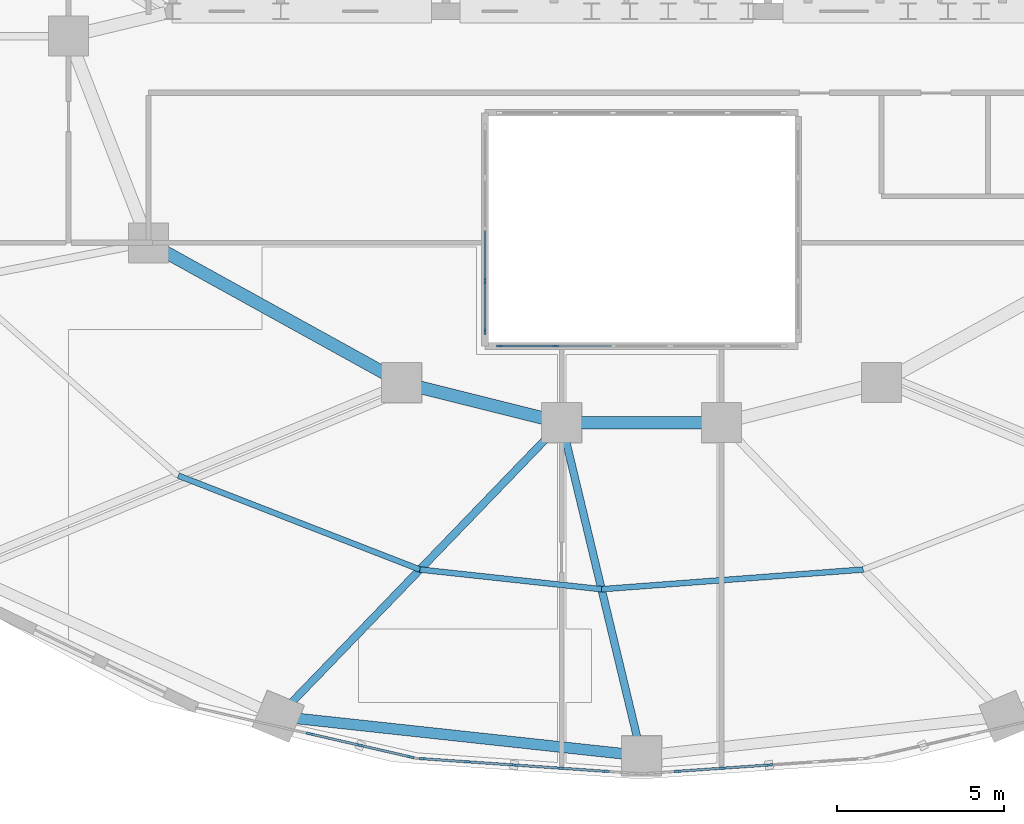
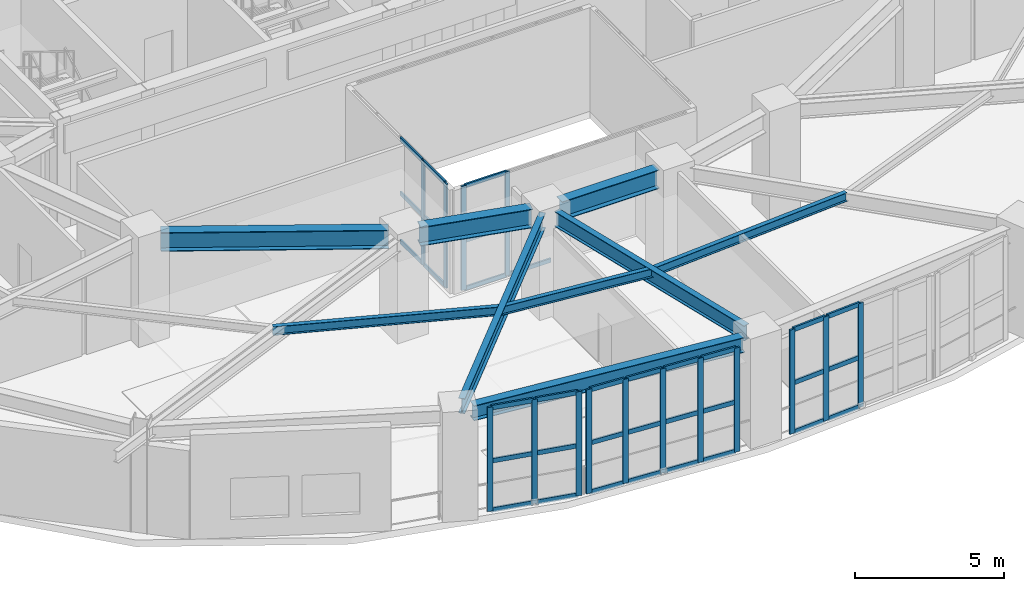
# One storey, part 2 of 15: 49 members, 9 beams, 5 elements without a shape of their own.
"""IFC4 building model written with IfcOpenShell, lengths in metres."""

from ifc_helpers import new_model, si_unit, direction, frame, origin, origin_2d, place, context, subcontext, project, spatial, rectangle, i_section, extrude, material, material_profile, profile_set, type_object, element, aggregate, save


model = new_model("IFC4")

# Units and contexts
model_context = context("Model", 3, precision=1e-05, world=origin(), true_north=direction((0.0, 1.0)))
body_context = subcontext(model_context, "Body", "Model", "MODEL_VIEW")
ifc_project = project(units=[si_unit("LENGTHUNIT", "METRE"), si_unit("AREAUNIT", "SQUARE_METRE"), si_unit("VOLUMEUNIT", "CUBIC_METRE"), si_unit("PLANEANGLEUNIT", "RADIAN"), si_unit("MASSUNIT", "GRAM", prefix="KILO")], contexts=[model_context])

# Site, building, storey
site_placement = place(None, origin())
site = spatial("IfcSite", under=ifc_project, at=site_placement, CompositionType="ELEMENT")
building_placement = place(site_placement, origin())
building = spatial("IfcBuilding", under=site, at=building_placement, Name="Haldorwick Loom Tower", CompositionType="ELEMENT")
storey_placement = place(building_placement, frame((0.0, 0.0, 105.949951171875)))
storey = spatial("IfcBuildingStorey", under=building, at=storey_placement, Name="L28", CompositionType="ELEMENT", Elevation=105.949951171875)

# Curtain wall, members
ifc_material_1 = material(Name="Thermally Broken Anodized Aluminium Curtain Wall Framing", Category="aluminium")
curtain_wall_type_1 = type_object("IfcCurtainWallType", Name="ARC-CW-03", PredefinedType="NOTDEFINED", material=ifc_material_1)
curtain_wall_1_placement = place(storey_placement, origin())
curtain_wall_1 = element("IfcCurtainWall", 1, at=curtain_wall_1_placement, inside=storey, type_object=curtain_wall_type_1, Name="L28 Atrium Glazed Screen S", PredefinedType="NOTDEFINED")
ifc_material_profile_1 = material_profile(ifc_material_1, rectangle(XDim=0.06591796875, YDim=0.18505859375, at=origin_2d()), Name="ALU_MUL_66X185", Category="aluminium")
ifc_profile_set_1 = profile_set([ifc_material_profile_1], Name="Thermally Broken Anodized Aluminium Curtain Wall Framing")
member_type_1 = type_object("IfcMemberType", Name="ARC-CWM-03", PredefinedType="MULLION", material=ifc_profile_set_1)
member_1_placement = place(storey_placement, frame((33.419921875, 16.699951171875, 0.0), z_axis=(0.0, 0.0, 1.0), x_axis=(0.0, -1.0, 0.0)))
member_1 = element("IfcMember", 2, at=member_1_placement, type_object=member_type_1, Name="CW-03 mullion 5", PredefinedType="MULLION", context=body_context, shape_type="SweptSolid", body=[
    extrude(rectangle(XDim=0.06591796875, YDim=0.18505859375, at=origin_2d()), origin(), (0.0, 0.0, 1.0), 4.260009765625),
])
member_2_placement = place(storey_placement, frame((31.73291015625, 16.699951171875, 0.0), z_axis=(0.0, 0.0, 1.0), x_axis=(0.0, -1.0, 0.0)))
member_2 = element("IfcMember", 3, at=member_2_placement, type_object=member_type_1, Name="CW-03 mullion 6", PredefinedType="MULLION", context=body_context, shape_type="SweptSolid", body=[
    extrude(rectangle(XDim=0.06591796875, YDim=0.18505859375, at=origin_2d()), origin(), (0.0, 0.0, 1.0), 4.260009765625),
])

curtain_wall_2_placement = place(storey_placement, origin())
curtain_wall_2 = element("IfcCurtainWall", 4, at=curtain_wall_2_placement, inside=storey, type_object=curtain_wall_type_1, Name="L28 Atrium Glazed Screen W", PredefinedType="NOTDEFINED")
member_3_placement = place(storey_placement, frame((31.300048828125, 17.133056640625, 0.0), z_axis=(0.0, 0.0, 1.0), x_axis=(-1.0, 0.0, 0.0)))
member_3 = element("IfcMember", 5, at=member_3_placement, type_object=member_type_1, Name="CW-03 mullion 1", PredefinedType="MULLION", context=body_context, shape_type="SweptSolid", body=[
    extrude(rectangle(XDim=0.06591796875, YDim=0.18505859375, at=origin_2d()), origin(), (0.0, 0.0, 1.0), 4.260009765625),
])
member_4_placement = place(storey_placement, frame((31.300048828125, 18.64990234375, 0.0), z_axis=(0.0, 0.0, 1.0), x_axis=(-1.0, 0.0, 0.0)))
member_4 = element("IfcMember", 6, at=member_4_placement, type_object=member_type_1, Name="CW-03 mullion 2", PredefinedType="MULLION", context=body_context, shape_type="SweptSolid", body=[
    extrude(rectangle(XDim=0.06591796875, YDim=0.18505859375, at=origin_2d()), origin(), (0.0, 0.0, 1.0), 4.260009765625),
])

curtain_wall_type_2 = type_object("IfcCurtainWallType", Name="ARC-CW-04", PredefinedType="NOTDEFINED", material=ifc_material_1)
curtain_wall_3_placement = place(storey_placement, origin())
curtain_wall_3 = element("IfcCurtainWall", 7, at=curtain_wall_3_placement, inside=storey, type_object=curtain_wall_type_2, Name="L28 Facade Curtain Wall CW-04 Bay 17", PredefinedType="NOTDEFINED")
ifc_material_profile_2 = material_profile(ifc_material_1, rectangle(XDim=0.072021484375, YDim=0.205078125, at=origin_2d()), Name="ALU_MUL_72X205", Category="aluminium")
ifc_profile_set_2 = profile_set([ifc_material_profile_2], Name="Thermally Broken Anodized Aluminium Curtain Wall Framing")
member_type_2 = type_object("IfcMemberType", Name="ARC-CWM-04", PredefinedType="MULLION", material=ifc_profile_set_2)
member_5_placement = place(storey_placement, frame((26.036865234375, 5.062255859375, 0.0), z_axis=(0.0, 0.0, 1.0), x_axis=(0.22398132353, 0.974593436624, 0.0)))
member_5 = element("IfcMember", 8, at=member_5_placement, type_object=member_type_2, Name="CW-04 mullion 1", PredefinedType="MULLION", context=body_context, shape_type="SweptSolid", body=[
    extrude(rectangle(XDim=0.072021484375, YDim=0.205078125, at=origin_2d()), origin(), (0.0, 0.0, 1.0), 4.260009765625),
])
member_6_placement = place(storey_placement, frame((27.55419921875, 4.713623046875, 0.0), z_axis=(0.0, 0.0, 1.0), x_axis=(0.22398132353, 0.974593436624, 0.0)))
member_6 = element("IfcMember", 9, at=member_6_placement, type_object=member_type_2, Name="CW-04 mullion 2", PredefinedType="MULLION", context=body_context, shape_type="SweptSolid", body=[
    extrude(rectangle(XDim=0.072021484375, YDim=0.205078125, at=origin_2d()), origin(), (0.0, 0.0, 1.0), 4.260009765625),
])
member_7_placement = place(storey_placement, frame((29.071533203125, 4.364990234375, 0.0), z_axis=(0.0, 0.0, 1.0), x_axis=(0.22398132353, 0.974593436624, 0.0)))
member_7 = element("IfcMember", 10, at=member_7_placement, type_object=member_type_2, Name="CW-04 mullion 3", PredefinedType="MULLION", context=body_context, shape_type="SweptSolid", body=[
    extrude(rectangle(XDim=0.072021484375, YDim=0.205078125, at=origin_2d()), origin(), (0.0, 0.0, 1.0), 4.260009765625),
])

curtain_wall_4_placement = place(storey_placement, origin())
curtain_wall_4 = element("IfcCurtainWall", 11, at=curtain_wall_4_placement, inside=storey, type_object=curtain_wall_type_2, Name="L28 Facade Curtain Wall CW-04 Bay 18", PredefinedType="NOTDEFINED")
member_8_placement = place(storey_placement, frame((29.41845703125, 4.3134765625, 0.0), z_axis=(0.0, 0.0, 1.0), x_axis=(0.068496055152, 0.997651387223, 0.0)))
member_8 = element("IfcMember", 12, at=member_8_placement, type_object=member_type_2, Name="CW-04 mullion 1", PredefinedType="MULLION", context=body_context, shape_type="SweptSolid", body=[
    extrude(rectangle(XDim=0.072021484375, YDim=0.205078125, at=origin_2d()), origin(), (0.0, 0.0, 1.0), 4.260009765625),
])
member_9_placement = place(storey_placement, frame((30.7783203125, 4.219970703125, 0.0), z_axis=(0.0, 0.0, 1.0), x_axis=(0.068496055152, 0.997651387223, 0.0)))
member_9 = element("IfcMember", 13, at=member_9_placement, type_object=member_type_2, Name="CW-04 mullion 2", PredefinedType="MULLION", context=body_context, shape_type="SweptSolid", body=[
    extrude(rectangle(XDim=0.072021484375, YDim=0.205078125, at=origin_2d()), origin(), (0.0, 0.0, 1.0), 4.260009765625),
])
member_10_placement = place(storey_placement, frame((32.174072265625, 4.124267578125, 0.0), z_axis=(0.0, 0.0, 1.0), x_axis=(0.068496055152, 0.997651387223, 0.0)))
member_10 = element("IfcMember", 14, at=member_10_placement, type_object=member_type_2, Name="CW-04 mullion 3", PredefinedType="MULLION", context=body_context, shape_type="SweptSolid", body=[
    extrude(rectangle(XDim=0.072021484375, YDim=0.205078125, at=origin_2d()), origin(), (0.0, 0.0, 1.0), 4.260009765625),
])
member_11_placement = place(storey_placement, frame((33.569580078125, 4.0283203125, 0.0), z_axis=(0.0, 0.0, 1.0), x_axis=(0.068496055152, 0.997651387223, 0.0)))
member_11 = element("IfcMember", 15, at=member_11_placement, type_object=member_type_2, Name="CW-04 mullion 4", PredefinedType="MULLION", context=body_context, shape_type="SweptSolid", body=[
    extrude(rectangle(XDim=0.072021484375, YDim=0.205078125, at=origin_2d()), origin(), (0.0, 0.0, 1.0), 4.260009765625),
])
member_12_placement = place(storey_placement, frame((34.929443359375, 3.93505859375, 0.0), z_axis=(0.0, 0.0, 1.0), x_axis=(0.068496055152, 0.997651387223, 0.0)))
member_12 = element("IfcMember", 16, at=member_12_placement, type_object=member_type_2, Name="CW-04 mullion 5", PredefinedType="MULLION", context=body_context, shape_type="SweptSolid", body=[
    extrude(rectangle(XDim=0.072021484375, YDim=0.205078125, at=origin_2d()), origin(), (0.0, 0.0, 1.0), 4.260009765625),
])

curtain_wall_5_placement = place(storey_placement, origin())
curtain_wall_5 = element("IfcCurtainWall", 17, at=curtain_wall_5_placement, inside=storey, type_object=curtain_wall_type_2, Name="L28 Facade Curtain Wall CW-04 Bay 19", PredefinedType="NOTDEFINED")
member_13_placement = place(storey_placement, frame((37.070556640625, 3.93505859375, 0.0), z_axis=(0.0, 0.0, 1.0), x_axis=(-0.068496055152, 0.997651387223, 0.0)))
member_13 = element("IfcMember", 18, at=member_13_placement, type_object=member_type_2, Name="CW-04 mullion 1", PredefinedType="MULLION", context=body_context, shape_type="SweptSolid", body=[
    extrude(rectangle(XDim=0.072021484375, YDim=0.205078125, at=origin_2d()), origin(), (0.0, 0.0, 1.0), 4.260009765625),
])
member_14_placement = place(storey_placement, frame((38.430419921875, 4.0283203125, 0.0), z_axis=(0.0, 0.0, 1.0), x_axis=(-0.068496055152, 0.997651387223, 0.0)))
member_14 = element("IfcMember", 19, at=member_14_placement, type_object=member_type_2, Name="CW-04 mullion 2", PredefinedType="MULLION", context=body_context, shape_type="SweptSolid", body=[
    extrude(rectangle(XDim=0.072021484375, YDim=0.205078125, at=origin_2d()), origin(), (0.0, 0.0, 1.0), 4.260009765625),
])
member_15_placement = place(storey_placement, frame((39.825927734375, 4.124267578125, 0.0), z_axis=(0.0, 0.0, 1.0), x_axis=(-0.068496055152, 0.997651387223, 0.0)))
member_15 = element("IfcMember", 20, at=member_15_placement, type_object=member_type_2, Name="CW-04 mullion 3", PredefinedType="MULLION", context=body_context, shape_type="SweptSolid", body=[
    extrude(rectangle(XDim=0.072021484375, YDim=0.205078125, at=origin_2d()), origin(), (0.0, 0.0, 1.0), 4.260009765625),
])

# Member
ifc_material_profile_3 = material_profile(ifc_material_1, rectangle(XDim=0.06591796875, YDim=0.1650390625, at=origin_2d()), Name="ALU_TRN_66X165", Category="aluminium")
ifc_profile_set_3 = profile_set([ifc_material_profile_3], Name="Thermally Broken Anodized Aluminium Curtain Wall Framing")
member_type_3 = type_object("IfcMemberType", Name="ARC-CWT-03", PredefinedType="USERDEFINED", material=ifc_profile_set_3)
member_16_placement = place(storey_placement, frame((35.10693359375, 16.699951171875, 0.032958984375), z_axis=(-1.0, 0.0, 0.0), x_axis=(0.0, -1.0, 0.0)))
member_16 = element("IfcMember", 21, at=member_16_placement, type_object=member_type_3, Name="CW-03 transom 4.1", ObjectType="TRANSOM", PredefinedType="USERDEFINED", context=body_context, shape_type="SweptSolid", body=[
    extrude(rectangle(XDim=0.06591796875, YDim=0.1650390625, at=origin_2d()), origin(), (0.0, 0.0, 1.0), 1.654052734375),
])

member_17_placement = place(storey_placement, frame((33.386962890625, 16.699951171875, 0.032958984375), z_axis=(-1.0, 0.0, 0.0), x_axis=(0.0, -1.0, 0.0)))
member_17 = element("IfcMember", 22, at=member_17_placement, type_object=member_type_3, Name="CW-03 transom 5.1", ObjectType="TRANSOM", PredefinedType="USERDEFINED", context=body_context, shape_type="SweptSolid", body=[
    extrude(rectangle(XDim=0.06591796875, YDim=0.1650390625, at=origin_2d()), origin(), (0.0, 0.0, 1.0), 1.620849609375),
])

member_18_placement = place(storey_placement, frame((33.386962890625, 16.699951171875, 2.0), z_axis=(-1.0, 0.0, 0.0), x_axis=(0.0, -1.0, 0.0)))
member_18 = element("IfcMember", 23, at=member_18_placement, type_object=member_type_3, Name="CW-03 transom 5.2", ObjectType="TRANSOM", PredefinedType="USERDEFINED", context=body_context, shape_type="SweptSolid", body=[
    extrude(rectangle(XDim=0.06591796875, YDim=0.1650390625, at=origin_2d()), origin(), (0.0, 0.0, 1.0), 1.620849609375),
])

member_19_placement = place(storey_placement, frame((33.386962890625, 16.699951171875, 4.22705078125), z_axis=(-1.0, 0.0, 0.0), x_axis=(0.0, -1.0, 0.0)))
member_19 = element("IfcMember", 24, at=member_19_placement, type_object=member_type_3, Name="CW-03 transom 5.3", ObjectType="TRANSOM", PredefinedType="USERDEFINED", context=body_context, shape_type="SweptSolid", body=[
    extrude(rectangle(XDim=0.06591796875, YDim=0.1650390625, at=origin_2d()), origin(), (0.0, 0.0, 1.0), 1.620849609375),
])

aggregate(curtain_wall_1, [member_1, member_2, member_16, member_17, member_18, member_19])

member_20_placement = place(storey_placement, frame((31.300048828125, 17.166015625, 0.032958984375), z_axis=(0.0, 1.0, 0.0), x_axis=(-1.0, 0.0, 0.0)))
member_20 = element("IfcMember", 25, at=member_20_placement, type_object=member_type_3, Name="CW-03 transom 1.1", ObjectType="TRANSOM", PredefinedType="USERDEFINED", context=body_context, shape_type="SweptSolid", body=[
    extrude(rectangle(XDim=0.06591796875, YDim=0.1650390625, at=origin_2d()), origin(), (0.0, 0.0, 1.0), 1.450927734375),
])

member_21_placement = place(storey_placement, frame((31.300048828125, 17.166015625, 2.0), z_axis=(0.0, 1.0, 0.0), x_axis=(-1.0, 0.0, 0.0)))
member_21 = element("IfcMember", 26, at=member_21_placement, type_object=member_type_3, Name="CW-03 transom 1.2", ObjectType="TRANSOM", PredefinedType="USERDEFINED", context=body_context, shape_type="SweptSolid", body=[
    extrude(rectangle(XDim=0.06591796875, YDim=0.1650390625, at=origin_2d()), origin(), (0.0, 0.0, 1.0), 1.450927734375),
])

member_22_placement = place(storey_placement, frame((31.300048828125, 17.166015625, 4.22705078125), z_axis=(0.0, 1.0, 0.0), x_axis=(-1.0, 0.0, 0.0)))
member_22 = element("IfcMember", 27, at=member_22_placement, type_object=member_type_3, Name="CW-03 transom 1.3", ObjectType="TRANSOM", PredefinedType="USERDEFINED", context=body_context, shape_type="SweptSolid", body=[
    extrude(rectangle(XDim=0.06591796875, YDim=0.1650390625, at=origin_2d()), origin(), (0.0, 0.0, 1.0), 1.450927734375),
])

member_23_placement = place(storey_placement, frame((31.300048828125, 18.68310546875, 0.032958984375), z_axis=(0.0, 1.0, 0.0), x_axis=(-1.0, 0.0, 0.0)))
member_23 = element("IfcMember", 28, at=member_23_placement, type_object=member_type_3, Name="CW-03 transom 2.1", ObjectType="TRANSOM", PredefinedType="USERDEFINED", context=body_context, shape_type="SweptSolid", body=[
    extrude(rectangle(XDim=0.06591796875, YDim=0.1650390625, at=origin_2d()), origin(), (0.0, 0.0, 1.0), 1.48388671875),
])

member_24_placement = place(storey_placement, frame((31.300048828125, 18.68310546875, 2.0), z_axis=(0.0, 1.0, 0.0), x_axis=(-1.0, 0.0, 0.0)))
member_24 = element("IfcMember", 29, at=member_24_placement, type_object=member_type_3, Name="CW-03 transom 2.2", ObjectType="TRANSOM", PredefinedType="USERDEFINED", context=body_context, shape_type="SweptSolid", body=[
    extrude(rectangle(XDim=0.06591796875, YDim=0.1650390625, at=origin_2d()), origin(), (0.0, 0.0, 1.0), 1.48388671875),
])

member_25_placement = place(storey_placement, frame((31.300048828125, 18.68310546875, 4.22705078125), z_axis=(0.0, 1.0, 0.0), x_axis=(-1.0, 0.0, 0.0)))
member_25 = element("IfcMember", 30, at=member_25_placement, type_object=member_type_3, Name="CW-03 transom 2.3", ObjectType="TRANSOM", PredefinedType="USERDEFINED", context=body_context, shape_type="SweptSolid", body=[
    extrude(rectangle(XDim=0.06591796875, YDim=0.1650390625, at=origin_2d()), origin(), (0.0, 0.0, 1.0), 1.48388671875),
])

aggregate(curtain_wall_2, [member_3, member_4, member_20, member_21, member_22, member_23, member_24, member_25])

ifc_material_profile_4 = material_profile(ifc_material_1, rectangle(XDim=0.072021484375, YDim=0.18505859375, at=origin_2d()), Name="ALU_TRN_72X185", Category="aluminium")
ifc_profile_set_4 = profile_set([ifc_material_profile_4], Name="Thermally Broken Anodized Aluminium Curtain Wall Framing")
member_type_4 = type_object("IfcMemberType", Name="ARC-CWT-04", PredefinedType="USERDEFINED", material=ifc_profile_set_4)
member_26_placement = place(storey_placement, frame((26.072021484375, 5.05419921875, 0.0361328125), z_axis=(0.974598631019, -0.223958720339, 0.0), x_axis=(0.223958720339, 0.974598631019, 0.0)))
member_26 = element("IfcMember", 31, at=member_26_placement, type_object=member_type_4, Name="CW-04 transom 1.1", ObjectType="TRANSOM", PredefinedType="USERDEFINED", context=body_context, shape_type="SweptSolid", body=[
    extrude(rectangle(XDim=0.072021484375, YDim=0.18505859375, at=origin_2d()), origin(), (0.0, 0.0, 1.0), 1.484619140625),
])

member_27_placement = place(storey_placement, frame((26.072021484375, 5.05419921875, 2.050048828125), z_axis=(0.974598631019, -0.223958720339, 0.0), x_axis=(0.223958720339, 0.974598631019, 0.0)))
member_27 = element("IfcMember", 32, at=member_27_placement, type_object=member_type_4, Name="CW-04 transom 1.2", ObjectType="TRANSOM", PredefinedType="USERDEFINED", context=body_context, shape_type="SweptSolid", body=[
    extrude(rectangle(XDim=0.072021484375, YDim=0.18505859375, at=origin_2d()), origin(), (0.0, 0.0, 1.0), 1.484619140625),
])

member_28_placement = place(storey_placement, frame((26.072021484375, 5.05419921875, 4.22412109375), z_axis=(0.974598631019, -0.223958720339, 0.0), x_axis=(0.223958720339, 0.974598631019, 0.0)))
member_28 = element("IfcMember", 33, at=member_28_placement, type_object=member_type_4, Name="CW-04 transom 1.3", ObjectType="TRANSOM", PredefinedType="USERDEFINED", context=body_context, shape_type="SweptSolid", body=[
    extrude(rectangle(XDim=0.072021484375, YDim=0.18505859375, at=origin_2d()), origin(), (0.0, 0.0, 1.0), 1.484619140625),
])

member_29_placement = place(storey_placement, frame((27.58935546875, 4.70556640625, 0.0361328125), z_axis=(0.974598631019, -0.223958720339, 0.0), x_axis=(0.223958720339, 0.974598631019, 0.0)))
member_29 = element("IfcMember", 34, at=member_29_placement, type_object=member_type_4, Name="CW-04 transom 2.1", ObjectType="TRANSOM", PredefinedType="USERDEFINED", context=body_context, shape_type="SweptSolid", body=[
    extrude(rectangle(XDim=0.072021484375, YDim=0.18505859375, at=origin_2d()), origin(), (0.0, 0.0, 1.0), 1.484619140625),
])

member_30_placement = place(storey_placement, frame((27.58935546875, 4.70556640625, 2.050048828125), z_axis=(0.974598631019, -0.223958720339, 0.0), x_axis=(0.223958720339, 0.974598631019, 0.0)))
member_30 = element("IfcMember", 35, at=member_30_placement, type_object=member_type_4, Name="CW-04 transom 2.2", ObjectType="TRANSOM", PredefinedType="USERDEFINED", context=body_context, shape_type="SweptSolid", body=[
    extrude(rectangle(XDim=0.072021484375, YDim=0.18505859375, at=origin_2d()), origin(), (0.0, 0.0, 1.0), 1.484619140625),
])

member_31_placement = place(storey_placement, frame((27.58935546875, 4.70556640625, 4.22412109375), z_axis=(0.974598631019, -0.223958720339, 0.0), x_axis=(0.223958720339, 0.974598631019, 0.0)))
member_31 = element("IfcMember", 36, at=member_31_placement, type_object=member_type_4, Name="CW-04 transom 2.3", ObjectType="TRANSOM", PredefinedType="USERDEFINED", context=body_context, shape_type="SweptSolid", body=[
    extrude(rectangle(XDim=0.072021484375, YDim=0.18505859375, at=origin_2d()), origin(), (0.0, 0.0, 1.0), 1.484619140625),
])

aggregate(curtain_wall_3, [member_5, member_6, member_7, member_26, member_27, member_28, member_29, member_30, member_31])

member_32_placement = place(storey_placement, frame((29.454345703125, 4.31103515625, 0.0361328125), z_axis=(0.997654434968, -0.068451650011, 0.0), x_axis=(0.068451650011, 0.997654434968, 0.0)))
member_32 = element("IfcMember", 37, at=member_32_placement, type_object=member_type_4, Name="CW-04 transom 1.1", ObjectType="TRANSOM", PredefinedType="USERDEFINED", context=body_context, shape_type="SweptSolid", body=[
    extrude(rectangle(XDim=0.072021484375, YDim=0.18505859375, at=origin_2d()), origin(), (0.0, 0.0, 1.0), 1.291015625),
])

member_33_placement = place(storey_placement, frame((29.454345703125, 4.31103515625, 2.050048828125), z_axis=(0.997654434968, -0.068451650011, 0.0), x_axis=(0.068451650011, 0.997654434968, 0.0)))
member_33 = element("IfcMember", 38, at=member_33_placement, type_object=member_type_4, Name="CW-04 transom 1.2", ObjectType="TRANSOM", PredefinedType="USERDEFINED", context=body_context, shape_type="SweptSolid", body=[
    extrude(rectangle(XDim=0.072021484375, YDim=0.18505859375, at=origin_2d()), origin(), (0.0, 0.0, 1.0), 1.291015625),
])

member_34_placement = place(storey_placement, frame((29.454345703125, 4.31103515625, 4.22412109375), z_axis=(0.997654434968, -0.068451650011, 0.0), x_axis=(0.068451650011, 0.997654434968, 0.0)))
member_34 = element("IfcMember", 39, at=member_34_placement, type_object=member_type_4, Name="CW-04 transom 1.3", ObjectType="TRANSOM", PredefinedType="USERDEFINED", context=body_context, shape_type="SweptSolid", body=[
    extrude(rectangle(XDim=0.072021484375, YDim=0.18505859375, at=origin_2d()), origin(), (0.0, 0.0, 1.0), 1.291015625),
])

member_35_placement = place(storey_placement, frame((30.814208984375, 4.217529296875, 0.0361328125), z_axis=(0.997655515919, -0.068435893771, 0.0), x_axis=(0.068435893771, 0.997655515919, 0.0)))
member_35 = element("IfcMember", 40, at=member_35_placement, type_object=member_type_4, Name="CW-04 transom 2.1", ObjectType="TRANSOM", PredefinedType="USERDEFINED", context=body_context, shape_type="SweptSolid", body=[
    extrude(rectangle(XDim=0.072021484375, YDim=0.18505859375, at=origin_2d()), origin(), (0.0, 0.0, 1.0), 1.3271484375),
])

member_36_placement = place(storey_placement, frame((30.814208984375, 4.217529296875, 2.050048828125), z_axis=(0.997655515919, -0.068435893771, 0.0), x_axis=(0.068435893771, 0.997655515919, 0.0)))
member_36 = element("IfcMember", 41, at=member_36_placement, type_object=member_type_4, Name="CW-04 transom 2.2", ObjectType="TRANSOM", PredefinedType="USERDEFINED", context=body_context, shape_type="SweptSolid", body=[
    extrude(rectangle(XDim=0.072021484375, YDim=0.18505859375, at=origin_2d()), origin(), (0.0, 0.0, 1.0), 1.3271484375),
])

member_37_placement = place(storey_placement, frame((30.814208984375, 4.217529296875, 4.22412109375), z_axis=(0.997655515919, -0.068435893771, 0.0), x_axis=(0.068435893771, 0.997655515919, 0.0)))
member_37 = element("IfcMember", 42, at=member_37_placement, type_object=member_type_4, Name="CW-04 transom 2.3", ObjectType="TRANSOM", PredefinedType="USERDEFINED", context=body_context, shape_type="SweptSolid", body=[
    extrude(rectangle(XDim=0.072021484375, YDim=0.18505859375, at=origin_2d()), origin(), (0.0, 0.0, 1.0), 1.3271484375),
])

member_38_placement = place(storey_placement, frame((32.2099609375, 4.121826171875, 0.0361328125), z_axis=(0.997654654075, -0.068448456532, 0.0), x_axis=(0.068448456532, 0.997654654075, 0.0)))
member_38 = element("IfcMember", 43, at=member_38_placement, type_object=member_type_4, Name="CW-04 transom 3.1", ObjectType="TRANSOM", PredefinedType="USERDEFINED", context=body_context, shape_type="SweptSolid", body=[
    extrude(rectangle(XDim=0.072021484375, YDim=0.18505859375, at=origin_2d()), origin(), (0.0, 0.0, 1.0), 1.326904296875),
])

member_39_placement = place(storey_placement, frame((32.2099609375, 4.121826171875, 2.050048828125), z_axis=(0.997654654075, -0.068448456532, 0.0), x_axis=(0.068448456532, 0.997654654075, 0.0)))
member_39 = element("IfcMember", 44, at=member_39_placement, type_object=member_type_4, Name="CW-04 transom 3.2", ObjectType="TRANSOM", PredefinedType="USERDEFINED", context=body_context, shape_type="SweptSolid", body=[
    extrude(rectangle(XDim=0.072021484375, YDim=0.18505859375, at=origin_2d()), origin(), (0.0, 0.0, 1.0), 1.326904296875),
])

member_40_placement = place(storey_placement, frame((32.2099609375, 4.121826171875, 4.22412109375), z_axis=(0.997654654075, -0.068448456532, 0.0), x_axis=(0.068448456532, 0.997654654075, 0.0)))
member_40 = element("IfcMember", 45, at=member_40_placement, type_object=member_type_4, Name="CW-04 transom 3.3", ObjectType="TRANSOM", PredefinedType="USERDEFINED", context=body_context, shape_type="SweptSolid", body=[
    extrude(rectangle(XDim=0.072021484375, YDim=0.18505859375, at=origin_2d()), origin(), (0.0, 0.0, 1.0), 1.326904296875),
])

member_41_placement = place(storey_placement, frame((33.605712890625, 4.02587890625, 0.0361328125), z_axis=(0.997653548698, -0.068464565806, 0.0), x_axis=(0.068464565806, 0.997653548698, 0.0)))
member_41 = element("IfcMember", 46, at=member_41_placement, type_object=member_type_4, Name="CW-04 transom 4.1", ObjectType="TRANSOM", PredefinedType="USERDEFINED", context=body_context, shape_type="SweptSolid", body=[
    extrude(rectangle(XDim=0.072021484375, YDim=0.18505859375, at=origin_2d()), origin(), (0.0, 0.0, 1.0), 1.290771484375),
])

member_42_placement = place(storey_placement, frame((33.605712890625, 4.02587890625, 2.050048828125), z_axis=(0.997653548698, -0.068464565806, 0.0), x_axis=(0.068464565806, 0.997653548698, 0.0)))
member_42 = element("IfcMember", 47, at=member_42_placement, type_object=member_type_4, Name="CW-04 transom 4.2", ObjectType="TRANSOM", PredefinedType="USERDEFINED", context=body_context, shape_type="SweptSolid", body=[
    extrude(rectangle(XDim=0.072021484375, YDim=0.18505859375, at=origin_2d()), origin(), (0.0, 0.0, 1.0), 1.290771484375),
])

member_43_placement = place(storey_placement, frame((33.605712890625, 4.02587890625, 4.22412109375), z_axis=(0.997653548698, -0.068464565806, 0.0), x_axis=(0.068464565806, 0.997653548698, 0.0)))
member_43 = element("IfcMember", 48, at=member_43_placement, type_object=member_type_4, Name="CW-04 transom 4.3", ObjectType="TRANSOM", PredefinedType="USERDEFINED", context=body_context, shape_type="SweptSolid", body=[
    extrude(rectangle(XDim=0.072021484375, YDim=0.18505859375, at=origin_2d()), origin(), (0.0, 0.0, 1.0), 1.290771484375),
])

aggregate(curtain_wall_4, [member_8, member_9, member_10, member_11, member_12, member_32, member_33, member_34, member_35, member_36, member_37, member_38, member_39, member_40, member_41, member_42, member_43])

member_44_placement = place(storey_placement, frame((37.1064453125, 3.9375, 0.0361328125), z_axis=(0.997653548698, 0.068464565806, 0.0), x_axis=(-0.068464565806, 0.997653548698, 0.0)))
member_44 = element("IfcMember", 49, at=member_44_placement, type_object=member_type_4, Name="CW-04 transom 1.1", ObjectType="TRANSOM", PredefinedType="USERDEFINED", context=body_context, shape_type="SweptSolid", body=[
    extrude(rectangle(XDim=0.072021484375, YDim=0.18505859375, at=origin_2d()), origin(), (0.0, 0.0, 1.0), 1.290771484375),
])

member_45_placement = place(storey_placement, frame((37.1064453125, 3.9375, 2.050048828125), z_axis=(0.997653548698, 0.068464565806, 0.0), x_axis=(-0.068464565806, 0.997653548698, 0.0)))
member_45 = element("IfcMember", 50, at=member_45_placement, type_object=member_type_4, Name="CW-04 transom 1.2", ObjectType="TRANSOM", PredefinedType="USERDEFINED", context=body_context, shape_type="SweptSolid", body=[
    extrude(rectangle(XDim=0.072021484375, YDim=0.18505859375, at=origin_2d()), origin(), (0.0, 0.0, 1.0), 1.290771484375),
])

member_46_placement = place(storey_placement, frame((37.1064453125, 3.9375, 4.22412109375), z_axis=(0.997653548698, 0.068464565806, 0.0), x_axis=(-0.068464565806, 0.997653548698, 0.0)))
member_46 = element("IfcMember", 51, at=member_46_placement, type_object=member_type_4, Name="CW-04 transom 1.3", ObjectType="TRANSOM", PredefinedType="USERDEFINED", context=body_context, shape_type="SweptSolid", body=[
    extrude(rectangle(XDim=0.072021484375, YDim=0.18505859375, at=origin_2d()), origin(), (0.0, 0.0, 1.0), 1.290771484375),
])

member_47_placement = place(storey_placement, frame((38.46630859375, 4.031005859375, 0.0361328125), z_axis=(0.997654654075, 0.068448456532, 0.0), x_axis=(-0.068448456532, 0.997654654075, 0.0)))
member_47 = element("IfcMember", 52, at=member_47_placement, type_object=member_type_4, Name="CW-04 transom 2.1", ObjectType="TRANSOM", PredefinedType="USERDEFINED", context=body_context, shape_type="SweptSolid", body=[
    extrude(rectangle(XDim=0.072021484375, YDim=0.18505859375, at=origin_2d()), origin(), (0.0, 0.0, 1.0), 1.326904296875),
])

member_48_placement = place(storey_placement, frame((38.46630859375, 4.031005859375, 2.050048828125), z_axis=(0.997654654075, 0.068448456532, 0.0), x_axis=(-0.068448456532, 0.997654654075, 0.0)))
member_48 = element("IfcMember", 53, at=member_48_placement, type_object=member_type_4, Name="CW-04 transom 2.2", ObjectType="TRANSOM", PredefinedType="USERDEFINED", context=body_context, shape_type="SweptSolid", body=[
    extrude(rectangle(XDim=0.072021484375, YDim=0.18505859375, at=origin_2d()), origin(), (0.0, 0.0, 1.0), 1.326904296875),
])

member_49_placement = place(storey_placement, frame((38.46630859375, 4.031005859375, 4.22412109375), z_axis=(0.997654654075, 0.068448456532, 0.0), x_axis=(-0.068448456532, 0.997654654075, 0.0)))
member_49 = element("IfcMember", 54, at=member_49_placement, type_object=member_type_4, Name="CW-04 transom 2.3", ObjectType="TRANSOM", PredefinedType="USERDEFINED", context=body_context, shape_type="SweptSolid", body=[
    extrude(rectangle(XDim=0.072021484375, YDim=0.18505859375, at=origin_2d()), origin(), (0.0, 0.0, 1.0), 1.326904296875),
])

aggregate(curtain_wall_5, [member_13, member_14, member_15, member_44, member_45, member_46, member_47, member_48, member_49])

# Beams
ifc_material_2 = material(Name="Steel CSA G40.21 350W", Category="steel")
ifc_material_profile_5 = material_profile(ifc_material_2, i_section(OverallWidth=0.172119140625, OverallDepth=0.35791015625, WebThickness=0.0078125, FlangeThickness=0.01318359375, at=origin_2d()), Name="W360X57", Category="steel")
ifc_profile_set_5 = profile_set([ifc_material_profile_5], Name="Steel CSA G40.21 350W")
beam_type_1 = type_object("IfcBeamType", Name="STR-BM-J360", PredefinedType="JOIST", material=ifc_profile_set_5)
beam_1_placement = place(storey_placement, frame((22.0966796875, 12.80908203125, 4.0810546875), z_axis=(0.932072983051, -0.362270553959, 0.0), x_axis=(0.362270553959, 0.932072983051, 0.0)))
element("IfcBeam", 55, at=beam_1_placement, inside=storey, type_object=beam_type_1, Name="L28 Mid-Bay Secondary Joist 11", PredefinedType="JOIST", context=body_context, shape_type="SweptSolid", body=[
    extrude(i_section(OverallWidth=0.172119140625, OverallDepth=0.35791015625, WebThickness=0.0078125, FlangeThickness=0.01318359375, at=origin_2d()), origin(), (0.0, 0.0, 1.0), 7.7783203125),
])
beam_2_placement = place(storey_placement, frame((29.3466796875, 9.9912109375, 4.0810546875), z_axis=(0.994191869342, -0.107622148904, 0.0), x_axis=(0.107622148904, 0.994191869342, 0.0)))
element("IfcBeam", 56, at=beam_2_placement, inside=storey, type_object=beam_type_1, Name="L28 Mid-Bay Secondary Joist 12", PredefinedType="JOIST", context=body_context, shape_type="SweptSolid", body=[
    extrude(i_section(OverallWidth=0.172119140625, OverallDepth=0.35791015625, WebThickness=0.0078125, FlangeThickness=0.01318359375, at=origin_2d()), origin(), (0.0, 0.0, 1.0), 5.485107421875),
])
beam_3_placement = place(storey_placement, frame((34.800048828125, 9.40087890625, 4.0810546875), z_axis=(0.99718663731, 0.074958724439, 0.0), x_axis=(-0.074958724439, 0.99718663731, 0.0)))
element("IfcBeam", 57, at=beam_3_placement, inside=storey, type_object=beam_type_1, Name="L28 Mid-Bay Secondary Joist 13", PredefinedType="JOIST", context=body_context, shape_type="SweptSolid", body=[
    extrude(i_section(OverallWidth=0.172119140625, OverallDepth=0.35791015625, WebThickness=0.0078125, FlangeThickness=0.01318359375, at=origin_2d()), origin(), (0.0, 0.0, 1.0), 7.87548828125),
])
ifc_material_profile_6 = material_profile(ifc_material_2, i_section(OverallWidth=0.324951171875, OverallDepth=0.615966796875, WebThickness=0.013916015625, FlangeThickness=0.021484375, at=origin_2d()), Name="W610X174", Category="steel")
ifc_profile_set_6 = profile_set([ifc_material_profile_6], Name="Steel CSA G40.21 350W")
beam_type_2 = type_object("IfcBeamType", Name="STR-BM-SP610", PredefinedType="SPANDREL", material=ifc_profile_set_6)
beam_4_placement = place(storey_placement, frame((25.610595703125, 5.5263671875, 3.9521484375), z_axis=(0.994190135627, -0.107638163409, 0.0), x_axis=(0.107638163409, 0.994190135627, 0.0)))
element("IfcBeam", 58, at=beam_4_placement, inside=storey, type_object=beam_type_2, Name="L28 Perimeter Spandrel 12", PredefinedType="SPANDREL", context=body_context, shape_type="SweptSolid", body=[
    extrude(i_section(OverallWidth=0.324951171875, OverallDepth=0.615966796875, WebThickness=0.013916015625, FlangeThickness=0.021484375, at=origin_2d()), origin(), (0.0, 0.0, 1.0), 9.929931640625),
])
ifc_material_profile_7 = material_profile(ifc_material_2, i_section(OverallWidth=0.22998046875, OverallDepth=0.616943359375, WebThickness=0.01318359375, FlangeThickness=0.022216796875, at=origin_2d()), Name="W610X140", Category="steel")
ifc_profile_set_7 = profile_set([ifc_material_profile_7], Name="Steel CSA G40.21 350W")
beam_type_3 = type_object("IfcBeamType", Name="STR-BM-W610B", PredefinedType="BEAM", material=ifc_profile_set_7)
beam_5_placement = place(storey_placement, frame((33.239013671875, 14.02587890625, 3.95166015625), z_axis=(-0.694287071595, -0.719698174387, 0.0), x_axis=(0.719698174387, -0.694287071595, 0.0)))
element("IfcBeam", 59, at=beam_5_placement, inside=storey, type_object=beam_type_3, Name="L28 Radial Floor Girder 12", PredefinedType="BEAM", context=body_context, shape_type="SweptSolid", body=[
    extrude(i_section(OverallWidth=0.22998046875, OverallDepth=0.616943359375, WebThickness=0.01318359375, FlangeThickness=0.022216796875, at=origin_2d()), origin(), (0.0, 0.0, 1.0), 11.212158203125),
])
beam_6_placement = place(storey_placement, frame((33.721435546875, 13.894287109375, 3.95166015625), z_axis=(0.233406920764, -0.972379148964, 0.0), x_axis=(0.972379148964, 0.233406920764, 0.0)))
element("IfcBeam", 60, at=beam_6_placement, inside=storey, type_object=beam_type_3, Name="L28 Radial Floor Girder 13", PredefinedType="BEAM", context=body_context, shape_type="SweptSolid", body=[
    extrude(i_section(OverallWidth=0.22998046875, OverallDepth=0.616943359375, WebThickness=0.01318359375, FlangeThickness=0.022216796875, at=origin_2d()), origin(), (0.0, 0.0, 1.0), 9.242431640625),
])
ifc_material_profile_8 = material_profile(ifc_material_2, i_section(OverallWidth=0.381103515625, OverallDepth=0.77294921875, WebThickness=0.0166015625, FlangeThickness=0.027587890625, at=origin_2d()), Name="W760X257", Category="steel")
ifc_profile_set_8 = profile_set([ifc_material_profile_8], Name="Steel CSA G40.21 350W")
beam_type_4 = type_object("IfcBeamType", Name="STR-BM-W760", PredefinedType="BEAM", material=ifc_profile_set_8)
beam_7_placement = place(storey_placement, frame((37.8798828125, 14.39990234375, 3.87353515625), z_axis=(-1.0, 0.0, 0.0), x_axis=(0.0, -1.0, 0.0)))
element("IfcBeam", 61, at=beam_7_placement, inside=storey, type_object=beam_type_4, Name="L28 Inner Ring Girder 5", PredefinedType="BEAM", context=body_context, shape_type="SweptSolid", body=[
    extrude(i_section(OverallWidth=0.381103515625, OverallDepth=0.77294921875, WebThickness=0.0166015625, FlangeThickness=0.027587890625, at=origin_2d()), origin(), (0.0, 0.0, 1.0), 3.759765625),
])
beam_8_placement = place(storey_placement, frame((33.095458984375, 14.526123046875, 3.87353515625), z_axis=(-0.970142500145, 0.242535625036, 0.0), x_axis=(-0.242535625036, -0.970142500145, 0.0)))
element("IfcBeam", 62, at=beam_8_placement, inside=storey, type_object=beam_type_4, Name="L28 Inner Ring Girder 6", PredefinedType="BEAM", context=body_context, shape_type="SweptSolid", body=[
    extrude(i_section(OverallWidth=0.381103515625, OverallDepth=0.77294921875, WebThickness=0.0166015625, FlangeThickness=0.027587890625, at=origin_2d()), origin(), (0.0, 0.0, 1.0), 3.90771484375),
])
beam_9_placement = place(storey_placement, frame((28.344970703125, 15.8515625, 3.87353515625), z_axis=(-0.875244382146, 0.483680960471, 0.0), x_axis=(-0.483680960471, -0.875244382146, 0.0)))
element("IfcBeam", 63, at=beam_9_placement, inside=storey, type_object=beam_type_4, Name="L28 Inner Ring Girder 7", PredefinedType="BEAM", context=body_context, shape_type="SweptSolid", body=[
    extrude(i_section(OverallWidth=0.381103515625, OverallDepth=0.77294921875, WebThickness=0.0166015625, FlangeThickness=0.027587890625, at=origin_2d()), origin(), (0.0, 0.0, 1.0), 7.6435546875),
])

save(model, "model.ifc")
